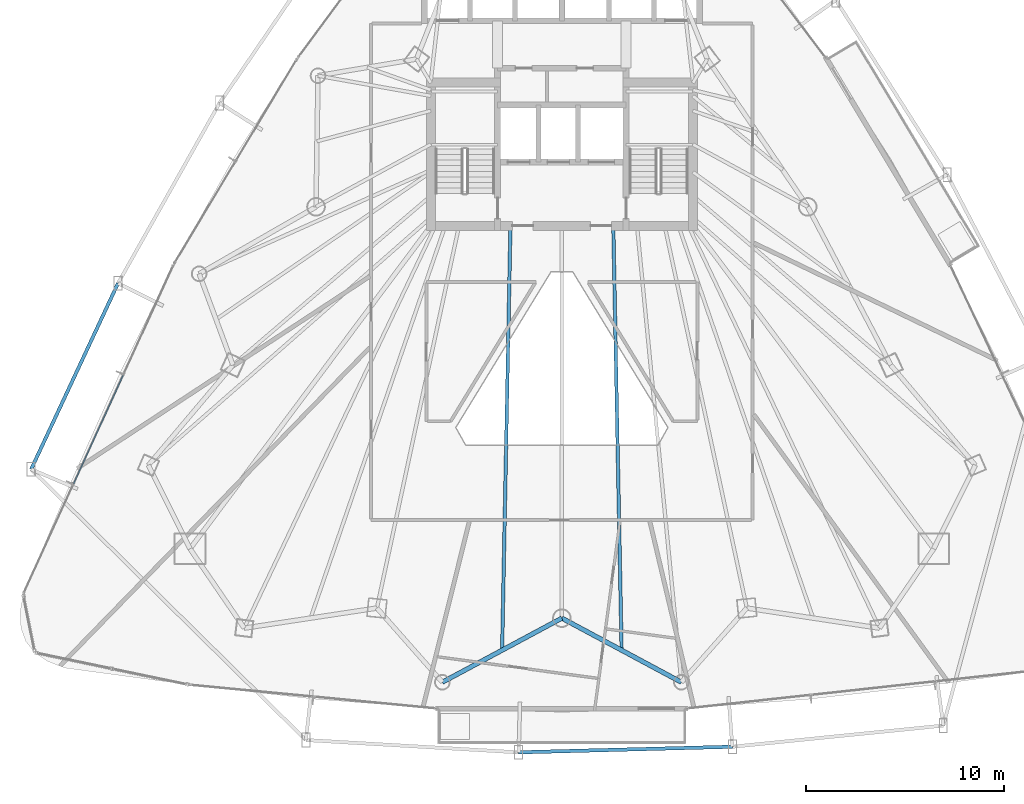
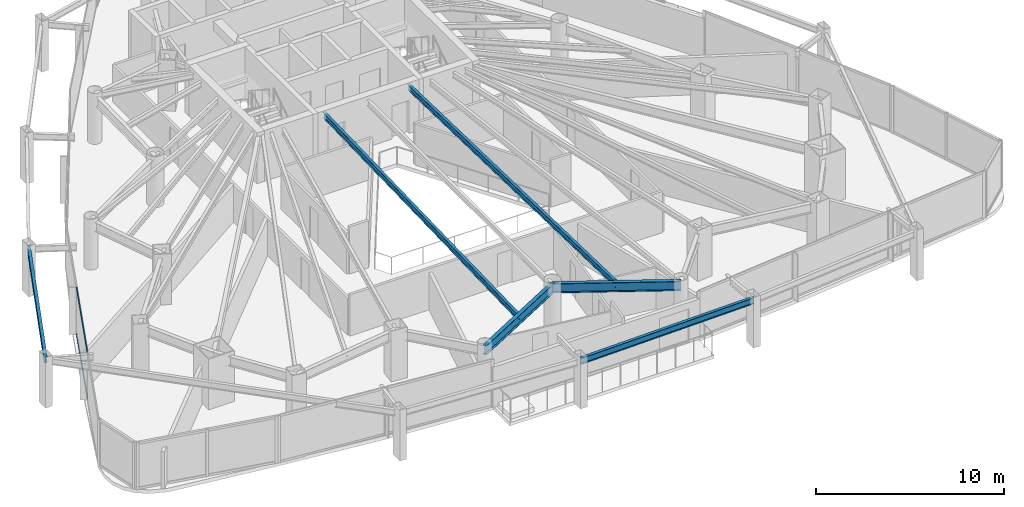
# One storey, part 7 of 33: 6 beams, 2 members, 1 element without a shape of its own.
"""IFC4 building model written with IfcOpenShell, lengths in metres."""

from ifc_helpers import new_model, si_unit, direction, frame, origin, origin_2d, place, context, subcontext, project, spatial, hollow_rectangle, i_section, extrude, material, layer, layer_set, material_profile, profile_set, type_object, element, aggregate, save


model = new_model("IFC4")

# Units and contexts
model_context = context("Model", 3, precision=1e-05, world=origin(), true_north=direction((0.0, 1.0)))
body_context = subcontext(model_context, "Body", "Model", "MODEL_VIEW")
ifc_project = project(units=[si_unit("LENGTHUNIT", "METRE"), si_unit("AREAUNIT", "SQUARE_METRE"), si_unit("VOLUMEUNIT", "CUBIC_METRE"), si_unit("PLANEANGLEUNIT", "RADIAN"), si_unit("MASSUNIT", "GRAM", prefix="KILO")], contexts=[model_context])

# Site, building, storey
site_placement = place(None, origin())
site = spatial("IfcSite", under=ifc_project, at=site_placement, CompositionType="ELEMENT")
building_placement = place(site_placement, origin())
building = spatial("IfcBuilding", under=site, at=building_placement, Name="Orvanel Arch Residences", CompositionType="ELEMENT")
storey_placement = place(building_placement, frame((0.0, 0.0, 84.050048828125)))
storey = spatial("IfcBuildingStorey", under=building, at=storey_placement, Name="L23", CompositionType="ELEMENT", Elevation=84.050048828125)

# Beams
ifc_material_1 = material(Name="Structural steel AS/NZS 3679.1 Grade 300 (300 MPa)", Category="steel")
ifc_material_profile_1 = material_profile(ifc_material_1, i_section(OverallWidth=0.1708984375, OverallDepth=0.35595703125, WebThickness=0.00732421875, FlangeThickness=0.011474609375, at=origin_2d()), Name="360UB50.7")
ifc_profile_set_1 = profile_set([ifc_material_profile_1], Name="Structural steel AS/NZS 3679.1 Grade 300 (300 MPa)")
beam_type_1 = type_object("IfcBeamType", Name="BJ-360UB", PredefinedType="JOIST", material=ifc_profile_set_1)
for number, where, z_axis, x_axis, name in (
    (1, (30.39990234375, 26.675048828125, 2.8818359375), (-0.019617680075, -0.999807554797, 0.0), (0.999807554797, -0.019617680075, 0.0), "L23 WSW2 Wing Floor Joist"),
    (2, (35.60009765625, 26.675048828125, 2.8818359375), (0.019617680075, -0.999807554797, 0.0), (0.999807554797, 0.019617680075, 0.0), "L23 ESE2 Wing Floor Joist"),
):
    element("IfcBeam", number, at=place(storey_placement, frame(where, z_axis=z_axis, x_axis=x_axis)), inside=storey, type_object=beam_type_1, Name=name, PredefinedType="JOIST", context=body_context, shape_type="SweptSolid", body=[
        extrude(i_section(OverallWidth=0.1708984375, OverallDepth=0.35595703125, WebThickness=0.00732421875, FlangeThickness=0.011474609375, at=origin_2d()), origin(), (0.0, 0.0, 1.0), 21.455078125),
    ])
ifc_material_profile_2 = material_profile(ifc_material_1, i_section(OverallWidth=0.177978515625, OverallDepth=0.406005859375, WebThickness=0.0078125, FlangeThickness=0.0126953125, at=origin_2d()), Name="410UB59.7")
ifc_profile_set_2 = profile_set([ifc_material_profile_2], Name="Structural steel AS/NZS 3679.1 Grade 300 (300 MPa)")
beam_type_2 = type_object("IfcBeamType", Name="OB-410UB-EXT", PredefinedType="SPANDREL", material=ifc_profile_set_2)
beam_1_placement = place(storey_placement, frame((10.556884765625, 23.77392578125, 2.85693359375), z_axis=(-0.423226748198, -0.906023796382, 0.0), x_axis=(0.906023796382, -0.423226748198, 0.0)))
element("IfcBeam", 3, at=beam_1_placement, inside=storey, type_object=beam_type_2, Name="L23 Outer Perimeter Floor Ring Beam 03", PredefinedType="SPANDREL", context=body_context, shape_type="SweptSolid", body=[
    extrude(i_section(OverallWidth=0.177978515625, OverallDepth=0.406005859375, WebThickness=0.0078125, FlangeThickness=0.0126953125, at=origin_2d()), origin(), (0.0, 0.0, 1.0), 10.376953125),
])
beam_2_placement = place(storey_placement, frame((30.81494140625, 0.05908203125, 2.85693359375), z_axis=(0.999654919023, 0.026268667152, 0.0), x_axis=(-0.026268667152, 0.999654919023, 0.0)))
element("IfcBeam", 4, at=beam_2_placement, inside=storey, type_object=beam_type_2, Name="L23 Outer Perimeter Floor Ring Beam 06", PredefinedType="SPANDREL", context=body_context, shape_type="SweptSolid", body=[
    extrude(i_section(OverallWidth=0.177978515625, OverallDepth=0.406005859375, WebThickness=0.0078125, FlangeThickness=0.0126953125, at=origin_2d()), origin(), (0.0, 0.0, 1.0), 10.808837890625),
])
ifc_material_profile_3 = material_profile(ifc_material_1, i_section(OverallWidth=0.22900390625, OverallDepth=0.612060546875, WebThickness=0.011962890625, FlangeThickness=0.01953125, at=origin_2d()), Name="610UB125")
ifc_profile_set_3 = profile_set([ifc_material_profile_3], Name="Structural steel AS/NZS 3679.1 Grade 300 (300 MPa)")
beam_type_3 = type_object("IfcBeamType", Name="SP-610UB", PredefinedType="SPANDREL", material=ifc_profile_set_3)
for number, where, z_axis, x_axis, name in (
    (5, (26.9580078125, 3.60498046875, 2.75390625), (0.881344400551, 0.472474388319, 0.0), (-0.472474388319, 0.881344400551, 0.0), "L23 Perimeter Spandrel Beam 06"),
    (6, (33.0, 6.843994140625, 2.75390625), (0.881344400551, -0.472474388319, 0.0), (0.472474388319, 0.881344400551, 0.0), "L23 Perimeter Spandrel Beam 07"),
):
    element("IfcBeam", number, at=place(storey_placement, frame(where, z_axis=z_axis, x_axis=x_axis)), inside=storey, type_object=beam_type_3, Name=name, PredefinedType="SPANDREL", context=body_context, shape_type="SweptSolid", body=[
        extrude(i_section(OverallWidth=0.22900390625, OverallDepth=0.612060546875, WebThickness=0.011962890625, FlangeThickness=0.01953125, at=origin_2d()), origin(), (0.0, 0.0, 1.0), 6.85546875),
    ])

# Curtain wall, members
ifc_material_2 = material(Name="Bronze-anodised aluminium AA6063-T6", Category="aluminium")
ifc_layer = layer(ifc_material_2, 0.179931640625)
ifc_layer_set = layer_set([ifc_layer], Name="Bronze-anodised aluminium AA6063-T6")
curtain_wall_type = type_object("IfcCurtainWallType", Name="CW2-LOW-SYS", PredefinedType="NOTDEFINED", material=ifc_layer_set)
curtain_wall_placement = place(storey_placement, origin())
curtain_wall = element("IfcCurtainWall", 7, at=curtain_wall_placement, inside=storey, type_object=curtain_wall_type, Name="L23 CW2-LOW-SYS Unitised Curtain Wall", PredefinedType="NOTDEFINED")
ifc_material_profile_4 = material_profile(ifc_material_2, hollow_rectangle(XDim=0.06005859375, YDim=0.135009765625, WallThickness=0.00390625, at=origin_2d()), Name="ALU135x60x4")
ifc_profile_set_4 = profile_set([ifc_material_profile_4], Name="Bronze-anodised aluminium AA6063-T6")
member_type = type_object("IfcMemberType", Name="TRN-135x60", PredefinedType="USERDEFINED", material=ifc_profile_set_4)
member_1_placement = place(storey_placement, frame((10.82275390625, 19.1337890625, 0.030029296875), z_axis=(-0.415278513396, -0.909694320259, 0.0), x_axis=(0.909694320259, -0.415278513396, 0.0)))
member_1 = element("IfcMember", 8, at=member_1_placement, type_object=member_type, Name="CW-S2 transom 2.1", ObjectType="TRANSOM", PredefinedType="USERDEFINED", context=body_context, shape_type="SweptSolid", body=[
    extrude(hollow_rectangle(XDim=0.06005859375, YDim=0.135009765625, WallThickness=0.00390625, at=origin_2d()), origin(), (0.0, 0.0, 1.0), 6.03125),
])
member_2_placement = place(storey_placement, frame((10.82275390625, 19.1337890625, 3.030029296875), z_axis=(-0.415278513396, -0.909694320259, 0.0), x_axis=(0.909694320259, -0.415278513396, 0.0)))
member_2 = element("IfcMember", 9, at=member_2_placement, type_object=member_type, Name="CW-S2 transom 2.2", ObjectType="TRANSOM", PredefinedType="USERDEFINED", context=body_context, shape_type="SweptSolid", body=[
    extrude(hollow_rectangle(XDim=0.06005859375, YDim=0.135009765625, WallThickness=0.00390625, at=origin_2d()), origin(), (0.0, 0.0, 1.0), 6.03125),
])
aggregate(curtain_wall, [member_1, member_2])

save(model, "model.ifc")
